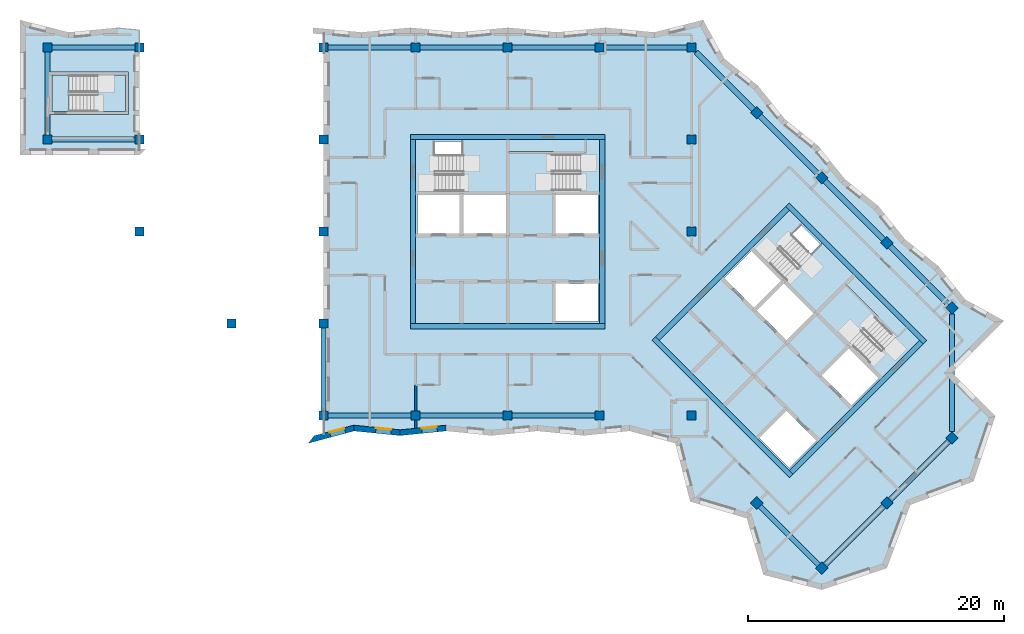
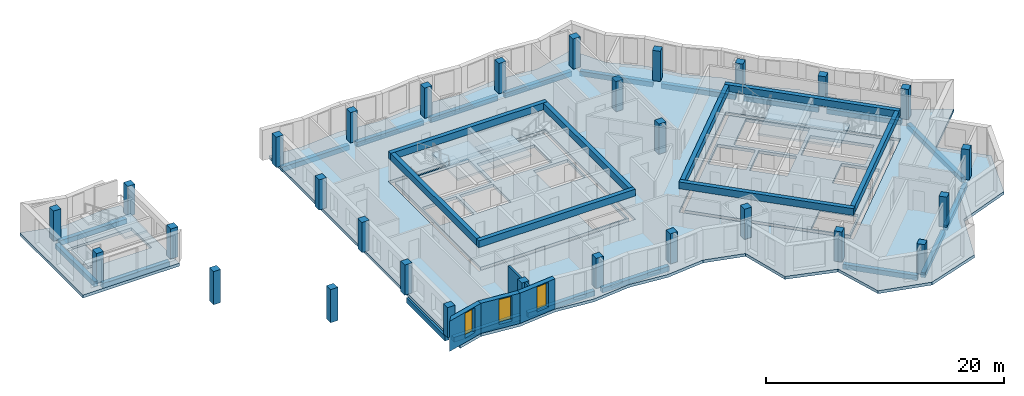
# One storey, part 1 of 12: 29 columns, 27 beams, 10 slabs, 5 walls, 3 windows, 18 openings, 5 elements without a shape of their own.
"""IFC4 building model written with IfcOpenShell, lengths in metres."""

from ifc_helpers import new_model, si_unit, direction, frame, frame_2d, origin, origin_2d, place, context, subcontext, project, spatial, polyline, rectangle, outline, extrude, material, layer, layer_set, material_profile, profile_set, type_object, element, fill, aggregate, save


model = new_model("IFC4")

# Units and contexts
model_context = context("Model", 3, precision=1e-05, world=origin(), true_north=direction((0.0, 1.0)))
body_context = subcontext(model_context, "Body", "Model", "MODEL_VIEW")
ifc_project = project(units=[si_unit("LENGTHUNIT", "METRE"), si_unit("AREAUNIT", "SQUARE_METRE"), si_unit("VOLUMEUNIT", "CUBIC_METRE"), si_unit("PLANEANGLEUNIT", "RADIAN"), si_unit("MASSUNIT", "GRAM", prefix="KILO")], contexts=[model_context])

# Site, building, storey
site_placement = place(None, origin())
site = spatial("IfcSite", under=ifc_project, at=site_placement, CompositionType="ELEMENT")
building_placement = place(site_placement, origin())
building = spatial("IfcBuilding", under=site, at=building_placement, Name="Windrow Commons", CompositionType="ELEMENT")
storey_placement = place(building_placement, frame((0.0, 0.0, 250.6)))
storey = spatial("IfcBuildingStorey", under=building, at=storey_placement, Name="L68", CompositionType="ELEMENT", Elevation=250.6)

# Columns
ifc_material_1 = material(Name="Concrete C40/50", Category="concrete")
ifc_material_profile_1 = material_profile(ifc_material_1, rectangle(XDim=0.7, YDim=0.7, at=origin_2d()))
ifc_profile_set_1 = profile_set([ifc_material_profile_1], Name="Concrete C40/50")
column_type = type_object("IfcColumnType", Name="RC COLUMN 700x700 C40/50", PredefinedType="COLUMN", material=ifc_profile_set_1)
for number, where, z_axis, x_axis, name in (
    (1, (28.8, 64.8, 0.0), (0.0, 0.0, 1.0), (1.0, 0.0, 0.0), "C-Z5-05I"),
    (2, (28.8, 72.0, 0.0), (0.0, 0.0, 1.0), (1.0, 0.0, 0.0), "C-Z5-05J"),
    (3, (36.0, 64.8, 0.0), (0.0, 0.0, 1.0), (1.0, 0.0, 0.0), "C-Z5-06I"),
    (4, (36.0, 72.0, 0.0), (0.0, 0.0, 1.0), (1.0, 0.0, 0.0), "C-Z5-06J"),
    (5, (50.4, 43.2, 0.0), (0.0, 0.0, 1.0), (1.0, 0.0, 0.0), "C-Z5-08F"),
    (6, (50.4, 50.4, 0.0), (0.0, 0.0, 1.0), (1.0, 0.0, 0.0), "C-Z5-08G"),
    (7, (50.4, 57.6, 0.0), (0.0, 0.0, 1.0), (1.0, 0.0, 0.0), "C-Z5-08H"),
    (8, (50.4, 64.8, 0.0), (0.0, 0.0, 1.0), (1.0, 0.0, 0.0), "C-Z5-08I"),
    (9, (50.4, 72.0, 0.0), (0.0, 0.0, 1.0), (1.0, 0.0, 0.0), "C-Z5-08J"),
    (10, (57.6, 43.2, 0.0), (0.0, 0.0, 1.0), (1.0, 0.0, 0.0), "C-Z5-09F"),
    (11, (57.6, 72.0, 0.0), (0.0, 0.0, 1.0), (1.0, 0.0, 0.0), "C-Z5-09J"),
    (12, (64.8, 43.2, 0.0), (0.0, 0.0, 1.0), (1.0, 0.0, 0.0), "C-Z5-10F"),
    (13, (64.8, 72.0, 0.0), (0.0, 0.0, 1.0), (1.0, 0.0, 0.0), "C-Z5-10J"),
    (14, (72.0, 43.2, 0.0), (0.0, 0.0, 1.0), (1.0, 0.0, 0.0), "C-Z5-11F"),
    (15, (72.0, 72.0, 0.0), (0.0, 0.0, 1.0), (1.0, 0.0, 0.0), "C-Z5-11J"),
    (16, (79.2, 43.2, 0.0), (0.0, 0.0, 1.0), (1.0, 0.0, 0.0), "C-Z5-12F"),
    (17, (79.2, 57.6, 0.0), (0.0, 0.0, 1.0), (1.0, 0.0, 0.0), "C-Z5-12H"),
    (18, (79.2, 64.8, 0.0), (0.0, 0.0, 1.0), (1.0, 0.0, 0.0), "C-Z5-12I"),
    (19, (79.2, 72.0, 0.0), (0.0, 0.0, 1.0), (1.0, 0.0, 0.0), "C-Z5-12J"),
    (20, (84.2912, 66.9088, 0.0), (0.0, 0.0, 1.0), (0.7071067812, -0.7071067812, 0.0), "C-Z5-P2Q"),
    (21, (89.3823, 61.8177, 0.0), (0.0, 0.0, 1.0), (0.7071067812, -0.7071067812, 0.0), "C-Z5-P3Q"),
    (22, (94.4735, 56.7265, 0.0), (0.0, 0.0, 1.0), (0.7071067812, -0.7071067812, 0.0), "C-Z5-P4Q"),
    (23, (99.5647, 51.6353, 0.0), (0.0, 0.0, 1.0), (0.7071067812, -0.7071067812, 0.0), "C-Z5-P5Q"),
    (24, (84.2912, 36.3618, 0.0), (0.0, 0.0, 1.0), (0.7071067812, -0.7071067812, 0.0), "C-Z5-P5T"),
    (25, (99.5647, 41.453, 0.0), (0.0, 0.0, 1.0), (0.7071067812, -0.7071067812, 0.0), "C-Z5-P6R"),
    (26, (94.4735, 36.3618, 0.0), (0.0, 0.0, 1.0), (0.7071067812, -0.7071067812, 0.0), "C-Z5-P6S"),
    (27, (89.3823, 31.2706, 0.0), (0.0, 0.0, 1.0), (0.7071067812, -0.7071067812, 0.0), "C-Z5-P6T"),
):
    element("IfcColumn", number, at=place(storey_placement, frame(where, z_axis=z_axis, x_axis=x_axis)), inside=storey, type_object=column_type, Name=name, PredefinedType="COLUMN", context=body_context, shape_type="SweptSolid", body=[
        extrude(rectangle(XDim=0.7, YDim=0.7, at=origin_2d()), origin(), (0.0, 0.0, 1.0), 3.1),
    ])
for number, where, z_axis, x_axis, name in (
    (28, (36.0, 57.6, -0.3), (0.0, 0.0, 1.0), (1.0, 0.0, 0.0), "C-Z5-06H"),
    (29, (43.2, 50.4, -0.3), (0.0, 0.0, 1.0), (1.0, 0.0, 0.0), "C-Z5-07G"),
):
    element("IfcColumn", number, at=place(storey_placement, frame(where, z_axis=z_axis, x_axis=x_axis)), inside=storey, type_object=column_type, Name=name, PredefinedType="COLUMN", context=body_context, shape_type="SweptSolid", body=[
        extrude(rectangle(XDim=0.7, YDim=0.7, at=origin_2d()), origin(), (0.0, 0.0, 1.0), 3.4),
    ])

# Beams
ifc_material_2 = material(Name="Concrete C40/50", Category="concrete")
ifc_material_profile_2 = material_profile(ifc_material_2, rectangle(XDim=0.4, YDim=0.7, at=origin_2d()))
ifc_profile_set_2 = profile_set([ifc_material_profile_2], Name="Concrete C40/50")
beam_type_1 = type_object("IfcBeamType", Name="RC COUPLING BEAM 400x700 C40/50", PredefinedType="LINTEL", material=ifc_profile_set_2)
for number, where, z_axis, x_axis, name in (
    (30, (57.2, 50.2, 2.75), (1.0, 0.0, 0.0), (0.0, 1.0, 0.0), "Core A coupling beam outer-S"),
    (31, (57.2, 65.0, 2.75), (1.0, 0.0, 0.0), (0.0, 1.0, 0.0), "Core A coupling beam outer-N"),
):
    element("IfcBeam", number, at=place(storey_placement, frame(where, z_axis=z_axis, x_axis=x_axis)), inside=storey, type_object=beam_type_1, Name=name, PredefinedType="LINTEL", context=body_context, shape_type="SweptSolid", body=[
        extrude(rectangle(XDim=0.4, YDim=0.7, at=origin_2d()), origin(), (0.0, 0.0, 1.0), 15.2),
    ])
for number, where, z_axis, x_axis, name in (
    (32, (57.4, 50.4, 2.75), (0.0, 1.0, 0.0), (-1.0, 0.0, 0.0), "Core A coupling beam outer-W"),
    (33, (72.2, 50.4, 2.75), (0.0, 1.0, 0.0), (-1.0, 0.0, 0.0), "Core A coupling beam outer-E"),
):
    element("IfcBeam", number, at=place(storey_placement, frame(where, z_axis=z_axis, x_axis=x_axis)), inside=storey, type_object=beam_type_1, Name=name, PredefinedType="LINTEL", context=body_context, shape_type="SweptSolid", body=[
        extrude(rectangle(XDim=0.4, YDim=0.7, at=origin_2d()), origin(), (0.0, 0.0, 1.0), 14.4),
    ])
for number, where, z_axis, x_axis, name in (
    (34, (76.2302, 49.2312, 2.75), (0.7071034917, -0.7071100706, 0.0), (0.7071100706, 0.7071034917, 0.0), "Core B coupling beam outer-S"),
    (35, (86.6953, 59.6963, 2.75), (0.7071100706, -0.7071034917, 0.0), (0.7071034917, 0.7071100706, 0.0), "Core B coupling beam outer-N"),
):
    element("IfcBeam", number, at=place(storey_placement, frame(where, z_axis=z_axis, x_axis=x_axis)), inside=storey, type_object=beam_type_1, Name=name, PredefinedType="LINTEL", context=body_context, shape_type="SweptSolid", body=[
        extrude(rectangle(XDim=0.4, YDim=0.7, at=origin_2d()), origin(), (0.0, 0.0, 1.0), 15.2),
    ])
for number, where, z_axis, x_axis, name in (
    (36, (76.513, 49.2312, 2.75), (0.7071067812, 0.7071067812, 0.0), (-0.7071067812, 0.7071067812, 0.0), "Core B coupling beam outer-W"),
    (37, (86.9782, 38.766, 2.75), (0.7071067812, 0.7071067812, 0.0), (-0.7071067812, 0.7071067812, 0.0), "Core B coupling beam outer-E"),
):
    element("IfcBeam", number, at=place(storey_placement, frame(where, z_axis=z_axis, x_axis=x_axis)), inside=storey, type_object=beam_type_1, Name=name, PredefinedType="LINTEL", context=body_context, shape_type="SweptSolid", body=[
        extrude(rectangle(XDim=0.4, YDim=0.7, at=origin_2d()), origin(), (0.0, 0.0, 1.0), 14.3999),
    ])
ifc_material_3 = material(Name="Concrete C40/50", Category="concrete")
ifc_material_profile_3 = material_profile(ifc_material_3, rectangle(XDim=0.4, YDim=0.5, at=origin_2d()))
ifc_profile_set_3 = profile_set([ifc_material_profile_3], Name="Concrete C40/50")
beam_type_2 = type_object("IfcBeamType", Name="RC EDGE BEAM 400x500 C40/50", PredefinedType="SPANDREL", material=ifc_profile_set_3)
for number, where, z_axis, x_axis, name in (
    (38, (57.25, 43.2, -0.55), (-1.0, 0.0, 0.0), (0.0, -1.0, 0.0), "Edge beam L68 001"),
    (39, (50.4, 43.55, -0.55), (0.0, 1.0, 0.0), (-1.0, 0.0, 0.0), "Edge beam L68 002"),
    (40, (35.65, 64.8, -0.55), (-1.0, 0.0, 0.0), (0.0, -1.0, 0.0), "Edge beam L68 003"),
    (41, (28.8, 65.15, -0.55), (0.0, 1.0, 0.0), (-1.0, 0.0, 0.0), "Edge beam L68 004"),
    (42, (29.15, 72.0, -0.55), (1.0, 0.0, 0.0), (0.0, 1.0, 0.0), "Edge beam L68 005"),
    (43, (50.75, 72.0, -0.55), (1.0, 0.0, 0.0), (0.0, 1.0, 0.0), "Edge beam L68 006"),
    (44, (57.95, 72.0, -0.55), (1.0, 0.0, 0.0), (0.0, 1.0, 0.0), "Edge beam L68 007"),
    (45, (65.15, 72.0, -0.55), (1.0, 0.0, 0.0), (0.0, 1.0, 0.0), "Edge beam L68 008"),
    (46, (72.35, 72.0, -0.55), (1.0, 0.0, 0.0), (0.0, 1.0, 0.0), "Edge beam L68 009"),
):
    element("IfcBeam", number, at=place(storey_placement, frame(where, z_axis=z_axis, x_axis=x_axis)), inside=storey, type_object=beam_type_2, Name=name, PredefinedType="SPANDREL", context=body_context, shape_type="SweptSolid", body=[
        extrude(rectangle(XDim=0.4, YDim=0.5, at=origin_2d()), origin(), (0.0, 0.0, 1.0), 6.5),
    ])
beam_1_placement = place(storey_placement, frame((79.55, 71.65, -0.55), z_axis=(0.7071067812, -0.7071067812, 0.0), x_axis=(0.7071067812, 0.7071067812, 0.0)))
element("IfcBeam", 47, at=beam_1_placement, inside=storey, type_object=beam_type_2, Name="Edge beam L68 010", PredefinedType="SPANDREL", context=body_context, shape_type="SweptSolid", body=[
    extrude(rectangle(XDim=0.4, YDim=0.5, at=origin_2d()), origin(), (0.0, 0.0, 1.0), 6.3551),
])
beam_2_placement = place(storey_placement, frame((84.5387, 66.6613, -0.55), z_axis=(0.7071067812, -0.7071067812, 0.0), x_axis=(0.7071067812, 0.7071067812, 0.0)))
element("IfcBeam", 48, at=beam_2_placement, inside=storey, type_object=beam_type_2, Name="Edge beam L68 011", PredefinedType="SPANDREL", context=body_context, shape_type="SweptSolid", body=[
    extrude(rectangle(XDim=0.4, YDim=0.5, at=origin_2d()), origin(), (0.0, 0.0, 1.0), 6.4999),
])
for number, where, z_axis, x_axis, name in (
    (49, (89.6298, 61.5702, -0.55), (0.7071067812, -0.7071067812, 0.0), (0.7071067812, 0.7071067812, 0.0), "Edge beam L68 012"),
    (50, (94.721, 56.479, -0.55), (0.7071067812, -0.7071067812, 0.0), (0.7071067812, 0.7071067812, 0.0), "Edge beam L68 013"),
):
    element("IfcBeam", number, at=place(storey_placement, frame(where, z_axis=z_axis, x_axis=x_axis)), inside=storey, type_object=beam_type_2, Name=name, PredefinedType="SPANDREL", context=body_context, shape_type="SweptSolid", body=[
        extrude(rectangle(XDim=0.4, YDim=0.5, at=origin_2d()), origin(), (0.0, 0.0, 1.0), 6.5),
    ])
beam_3_placement = place(storey_placement, frame((99.5647, 51.1403, -0.55), z_axis=(0.0, -1.0, 0.0), x_axis=(1.0, 0.0, 0.0)))
element("IfcBeam", 51, at=beam_3_placement, inside=storey, type_object=beam_type_2, Name="Edge beam L68 014", PredefinedType="SPANDREL", context=body_context, shape_type="SweptSolid", body=[
    extrude(rectangle(XDim=0.4, YDim=0.5, at=origin_2d()), origin(), (0.0, 0.0, 1.0), 9.1923),
])
for number, where, z_axis, x_axis, name in (
    (52, (99.3172, 41.2055, -0.55), (-0.7071067812, -0.7071067812, 0.0), (0.7071067812, -0.7071067812, 0.0), "Edge beam L68 015"),
    (53, (94.226, 36.1143, -0.55), (-0.7071067812, -0.7071067812, 0.0), (0.7071067812, -0.7071067812, 0.0), "Edge beam L68 016"),
):
    element("IfcBeam", number, at=place(storey_placement, frame(where, z_axis=z_axis, x_axis=x_axis)), inside=storey, type_object=beam_type_2, Name=name, PredefinedType="SPANDREL", context=body_context, shape_type="SweptSolid", body=[
        extrude(rectangle(XDim=0.4, YDim=0.5, at=origin_2d()), origin(), (0.0, 0.0, 1.0), 6.5),
    ])
beam_4_placement = place(storey_placement, frame((89.1348, 31.5181, -0.55), z_axis=(-0.7070990888, 0.7071144735, 0.0), x_axis=(-0.7071144735, -0.7070990888, 0.0)))
element("IfcBeam", 54, at=beam_4_placement, inside=storey, type_object=beam_type_2, Name="Edge beam L68 017", PredefinedType="SPANDREL", context=body_context, shape_type="SweptSolid", body=[
    extrude(rectangle(XDim=0.4, YDim=0.5, at=origin_2d()), origin(), (0.0, 0.0, 1.0), 6.4999),
])
for number, where, z_axis, x_axis, name in (
    (55, (71.65, 43.2, -0.55), (-1.0, 0.0, 0.0), (0.0, -1.0, 0.0), "Edge beam L68 018"),
    (56, (64.45, 43.2, -0.55), (-1.0, 0.0, 0.0), (0.0, -1.0, 0.0), "Edge beam L68 019"),
):
    element("IfcBeam", number, at=place(storey_placement, frame(where, z_axis=z_axis, x_axis=x_axis)), inside=storey, type_object=beam_type_2, Name=name, PredefinedType="SPANDREL", context=body_context, shape_type="SweptSolid", body=[
        extrude(rectangle(XDim=0.4, YDim=0.5, at=origin_2d()), origin(), (0.0, 0.0, 1.0), 6.5),
    ])

# Slab, openings
ifc_material_4 = material(Name="Concrete C40/50", Category="concrete")
ifc_layer_1 = layer(ifc_material_4, 0.3)
ifc_layer_set_1 = layer_set([ifc_layer_1], Name="CORE FLOOR SLAB 300 C40/50")
slab_type_1 = type_object("IfcSlabType", Name="CORE FLOOR SLAB 300 C40/50", PredefinedType="FLOOR", material=ifc_layer_set_1)
placement_1 = place(storey_placement, frame((0.0, 0.0, -0.3)))
slab_1 = element("IfcSlab", 57, at=placement_1, inside=storey, type_object=slab_type_1, Name="S-L68-core-A", PredefinedType="FLOOR", context=body_context, shape_type="SweptSolid", body=[
    extrude(outline(polyline([(57.6, 50.4), (72.0, 50.4), (72.0, 64.8), (57.6, 64.8), (57.6, 50.4)]), holes=[polyline([(68.55, 50.55), (71.85, 50.55), (71.85, 53.55), (68.55, 53.55), (68.55, 50.55)]), polyline([(57.75, 57.45), (61.05, 57.45), (61.05, 60.45), (57.75, 60.45), (57.75, 57.45)]), polyline([(61.35, 57.45), (64.65, 57.45), (64.65, 60.45), (61.35, 60.45), (61.35, 57.45)]), polyline([(68.55, 57.45), (71.85, 57.45), (71.85, 60.45), (68.55, 60.45), (68.55, 57.45)]), polyline([(59.1, 60.75), (64.65, 60.75), (64.65, 64.65), (59.1, 64.65), (59.1, 60.75)]), polyline([(64.95, 60.75), (70.5, 60.75), (70.5, 63.705), (64.95, 63.705), (64.95, 60.75)])]), origin(), (0.0, 0.0, 1.0), 0.3),
])
opening_1_placement = place(placement_1, origin())
element("IfcOpeningElement", 58, at=opening_1_placement, cuts=slab_1, Name="Slab opening S-L68-core-A 1", PredefinedType="OPENING", context=body_context, shape_type="SweptSolid", body=[
    extrude(outline(polyline([(68.555, 50.555), (68.555, 53.545), (71.845, 53.545), (71.845, 50.555), (68.555, 50.555)])), origin(), (0.0, 0.0, 1.0), 0.3),
])
opening_2_placement = place(placement_1, origin())
element("IfcOpeningElement", 59, at=opening_2_placement, cuts=slab_1, Name="Slab opening S-L68-core-A 2", PredefinedType="OPENING", context=body_context, shape_type="SweptSolid", body=[
    extrude(outline(polyline([(57.755, 57.455), (57.755, 60.445), (61.045, 60.445), (61.045, 57.455), (57.755, 57.455)])), origin(), (0.0, 0.0, 1.0), 0.3),
])
opening_3_placement = place(placement_1, origin())
element("IfcOpeningElement", 60, at=opening_3_placement, cuts=slab_1, Name="Slab opening S-L68-core-A 3", PredefinedType="OPENING", context=body_context, shape_type="SweptSolid", body=[
    extrude(outline(polyline([(61.355, 57.455), (61.355, 60.445), (64.645, 60.445), (64.645, 57.455), (61.355, 57.455)])), origin(), (0.0, 0.0, 1.0), 0.3),
])
opening_4_placement = place(placement_1, origin())
element("IfcOpeningElement", 61, at=opening_4_placement, cuts=slab_1, Name="Slab opening S-L68-core-A 4", PredefinedType="OPENING", context=body_context, shape_type="SweptSolid", body=[
    extrude(outline(polyline([(68.555, 57.455), (68.555, 60.445), (71.845, 60.445), (71.845, 57.455), (68.555, 57.455)])), origin(), (0.0, 0.0, 1.0), 0.3),
])
opening_5_placement = place(placement_1, origin())
element("IfcOpeningElement", 62, at=opening_5_placement, cuts=slab_1, Name="Slab opening S-L68-core-A 5", PredefinedType="OPENING", context=body_context, shape_type="SweptSolid", body=[
    extrude(outline(polyline([(59.105, 60.755), (59.105, 64.645), (64.645, 64.645), (64.645, 60.755), (59.105, 60.755)])), origin(), (0.0, 0.0, 1.0), 0.3),
])
opening_6_placement = place(placement_1, origin())
element("IfcOpeningElement", 63, at=opening_6_placement, cuts=slab_1, Name="Slab opening S-L68-core-A 6", PredefinedType="OPENING", context=body_context, shape_type="SweptSolid", body=[
    extrude(outline(polyline([(64.955, 60.755), (64.955, 63.7), (70.495, 63.7), (70.495, 60.755), (64.955, 60.755)])), origin(), (0.0, 0.0, 1.0), 0.3),
])

slab_2 = element("IfcSlab", 64, at=placement_1, inside=storey, type_object=slab_type_1, Name="S-L68-core-B", PredefinedType="FLOOR", context=body_context, shape_type="SweptSolid", body=[
    extrude(outline(polyline([(76.6544, 49.0897), (86.8368, 38.9074), (97.0191, 49.0897), (86.8368, 59.2721), (76.6544, 49.0897)]), holes=[polyline([(84.5033, 41.453), (86.8368, 39.1195), (88.9581, 41.2409), (86.6246, 43.5743), (84.5033, 41.453)]), polyline([(81.7456, 53.9688), (84.079, 51.6353), (86.2004, 53.7566), (83.8669, 56.0901), (81.7456, 53.9688)]), polyline([(84.2912, 51.4232), (86.6246, 49.0897), (88.7459, 51.2111), (86.4125, 53.5445), (84.2912, 51.4232)]), polyline([(89.3823, 46.332), (91.7158, 43.9986), (93.8371, 46.1199), (91.5037, 48.4533), (89.3823, 46.332)]), polyline([(85.0336, 55.3476), (88.9581, 51.4232), (91.7158, 54.1809), (87.7913, 58.1054), (85.0336, 55.3476)]), polyline([(89.1702, 51.2111), (93.0946, 47.2866), (95.1841, 49.3761), (91.2597, 53.3006), (89.1702, 51.2111)])]), origin(), (0.0, 0.0, 1.0), 0.3),
])
opening_7_placement = place(placement_1, origin())
element("IfcOpeningElement", 65, at=opening_7_placement, cuts=slab_2, Name="Slab opening S-L68-core-B 1", PredefinedType="OPENING", context=body_context, shape_type="SweptSolid", body=[
    extrude(outline(polyline([(84.5104, 41.453), (86.6246, 43.5672), (88.951, 41.2409), (86.8368, 39.1266), (84.5104, 41.453)])), origin(), (0.0, 0.0, 1.0), 0.3),
])
opening_8_placement = place(placement_1, origin())
element("IfcOpeningElement", 66, at=opening_8_placement, cuts=slab_2, Name="Slab opening S-L68-core-B 2", PredefinedType="OPENING", context=body_context, shape_type="SweptSolid", body=[
    extrude(outline(polyline([(81.7527, 53.9688), (83.8669, 56.083), (86.1933, 53.7566), (84.079, 51.6424), (81.7527, 53.9688)])), origin(), (0.0, 0.0, 1.0), 0.3),
])
opening_9_placement = place(placement_1, origin())
element("IfcOpeningElement", 67, at=opening_9_placement, cuts=slab_2, Name="Slab opening S-L68-core-B 3", PredefinedType="OPENING", context=body_context, shape_type="SweptSolid", body=[
    extrude(outline(polyline([(84.2983, 51.4232), (86.4125, 53.5374), (88.7388, 51.2111), (86.6246, 49.0968), (84.2983, 51.4232)])), origin(), (0.0, 0.0, 1.0), 0.3),
])
opening_10_placement = place(placement_1, origin())
element("IfcOpeningElement", 68, at=opening_10_placement, cuts=slab_2, Name="Slab opening S-L68-core-B 4", PredefinedType="OPENING", context=body_context, shape_type="SweptSolid", body=[
    extrude(outline(polyline([(89.3894, 46.332), (91.5037, 48.4462), (93.83, 46.1199), (91.7158, 44.0057), (89.3894, 46.332)])), origin(), (0.0, 0.0, 1.0), 0.3),
])
opening_11_placement = place(placement_1, origin())
element("IfcOpeningElement", 69, at=opening_11_placement, cuts=slab_2, Name="Slab opening S-L68-core-B 5", PredefinedType="OPENING", context=body_context, shape_type="SweptSolid", body=[
    extrude(outline(polyline([(85.0407, 55.3476), (87.7913, 58.0983), (91.7087, 54.1809), (88.9581, 51.4303), (85.0407, 55.3476)])), origin(), (0.0, 0.0, 1.0), 0.3),
])
opening_12_placement = place(placement_1, origin())
element("IfcOpeningElement", 70, at=opening_12_placement, cuts=slab_2, Name="Slab opening S-L68-core-B 6", PredefinedType="OPENING", context=body_context, shape_type="SweptSolid", body=[
    extrude(outline(polyline([(89.1773, 51.2111), (91.2597, 53.2935), (95.177, 49.3761), (93.0946, 47.2937), (89.1773, 51.2111)])), origin(), (0.0, 0.0, 1.0), 0.3),
])

# Slab
element("IfcSlab", 71, at=placement_1, inside=storey, type_object=slab_type_1, Name="S-L68-stub-stair", PredefinedType="FLOOR", context=body_context, shape_type="SweptSolid", body=[
    extrude(outline(polyline([(29.125, 67.0), (30.475, 67.0), (30.475, 69.85), (29.125, 69.85), (29.125, 67.0)])), origin(), (0.0, 0.0, 1.0), 0.3),
])

# Stair, slab
ifc_material_5 = material(Name="Concrete C40/50", Category="concrete")
stair_type = type_object("IfcStairType", Name="Core stair", PredefinedType="HALF_TURN_STAIR", material=ifc_material_5)
placement_2 = place(storey_placement, origin())
stair_1 = element("IfcStair", 72, at=placement_2, inside=storey, type_object=stair_type, Name="L68 Exit stair A1 core A", PredefinedType="HALF_TURN_STAIR")
ifc_material_6 = material(Name="Concrete C40/50", Category="concrete")
ifc_layer_2 = layer(ifc_material_6, 0.2)
ifc_layer_set_2 = layer_set([ifc_layer_2], Name="Core stair landing")
slab_type_2 = type_object("IfcSlabType", Name="Core stair landing", PredefinedType="LANDING", material=ifc_layer_set_2)
placement_3 = place(storey_placement, frame((0.0, 0.0, 1.5)))
slab_4 = element("IfcSlab", 73, at=placement_3, type_object=slab_type_2, Name="ST-A1 landing 1", PredefinedType="LANDING", context=body_context, shape_type="SweptSolid", body=[
    extrude(outline(polyline([(61.22, 60.5), (64.8, 60.5), (64.8, 64.9), (61.22, 64.9), (61.22, 60.5)])), origin(), (0.0, 0.0, 1.0), 0.2),
])
aggregate(stair_1, [slab_4])

stair_2 = element("IfcStair", 74, at=placement_2, inside=storey, type_object=stair_type, Name="L68 Exit stair A2 core A", PredefinedType="HALF_TURN_STAIR")
slab_5 = element("IfcSlab", 75, at=placement_3, type_object=slab_type_2, Name="ST-A2 landing 1", PredefinedType="LANDING", context=body_context, shape_type="SweptSolid", body=[
    extrude(outline(polyline([(64.8, 60.5), (68.38, 60.5), (68.38, 63.855), (64.8, 63.855), (64.8, 60.5)])), origin(), (0.0, 0.0, 1.0), 0.2),
])
aggregate(stair_2, [slab_5])

stair_3 = element("IfcStair", 76, at=placement_2, inside=storey, type_object=stair_type, Name="L68 Exit stair B1 core B", PredefinedType="HALF_TURN_STAIR")
slab_6 = element("IfcSlab", 77, at=placement_3, type_object=slab_type_2, Name="ST-B1 landing 1", PredefinedType="LANDING", context=body_context, shape_type="SweptSolid", body=[
    extrude(outline(polyline([(86.3559, 53.6718), (88.8874, 51.1403), (91.9986, 54.2516), (89.4672, 56.7831), (86.3559, 53.6718)])), origin(), (0.0, 0.0, 1.0), 0.2),
])
aggregate(stair_3, [slab_6])

stair_4 = element("IfcStair", 78, at=placement_2, inside=storey, type_object=stair_type, Name="L68 Exit stair B2 core B", PredefinedType="HALF_TURN_STAIR")
slab_7 = element("IfcSlab", 79, at=placement_3, type_object=slab_type_2, Name="ST-B2 landing 1", PredefinedType="LANDING", context=body_context, shape_type="SweptSolid", body=[
    extrude(outline(polyline([(88.8874, 51.1403), (91.4188, 48.6089), (93.7911, 50.9812), (91.2597, 53.5127), (88.8874, 51.1403)])), origin(), (0.0, 0.0, 1.0), 0.2),
])
aggregate(stair_4, [slab_7])

stair_5 = element("IfcStair", 80, at=placement_2, inside=storey, type_object=stair_type, Name="L68 Exit stair W", PredefinedType="HALF_TURN_STAIR")
slab_8 = element("IfcSlab", 81, at=placement_3, type_object=slab_type_2, Name="ST-W landing 1", PredefinedType="LANDING", context=body_context, shape_type="SweptSolid", body=[
    extrude(outline(polyline([(32.715, 67.0), (34.875, 67.0), (34.875, 69.85), (32.715, 69.85), (32.715, 67.0)])), origin(), (0.0, 0.0, 1.0), 0.2),
])
aggregate(stair_5, [slab_8])

# Slab, opening
ifc_material_7 = material(Name="Concrete C40/50", Category="concrete")
ifc_layer_3 = layer(ifc_material_7, 0.3)
ifc_layer_set_3 = layer_set([ifc_layer_3], Name="FLOOR SLAB 300 C40/50")
slab_type_3 = type_object("IfcSlabType", Name="FLOOR SLAB 300 C40/50", PredefinedType="FLOOR", material=ifc_layer_set_3)
slab_9 = element("IfcSlab", 82, at=placement_1, inside=storey, type_object=slab_type_3, Name="S-L68-floor-1", PredefinedType="FLOOR", context=body_context, shape_type="SweptSolid", body=[
    extrude(outline(polyline([(26.639, 63.6), (36.0, 63.6), (36.0, 73.398), (34.2756, 73.561), (30.4573, 73.2), (26.639, 74.161), (26.639, 63.6)]), holes=[polyline([(28.875, 66.75), (28.875, 70.1), (35.125, 70.1), (35.125, 66.75), (28.875, 66.75)])]), origin(), (0.0, 0.0, 1.0), 0.3),
])
opening_13_placement = place(placement_1, origin())
element("IfcOpeningElement", 83, at=opening_13_placement, cuts=slab_9, Name="Slab opening S-L68-floor-1 1", PredefinedType="OPENING", context=body_context, shape_type="SweptSolid", body=[
    extrude(outline(polyline([(28.88, 66.755), (28.88, 70.095), (35.12, 70.095), (35.12, 66.755), (28.88, 66.755)])), origin(), (0.0, 0.0, 1.0), 0.3),
])

# Slab, openings
slab_10 = element("IfcSlab", 84, at=placement_1, inside=storey, type_object=slab_type_3, Name="S-L68-floor-2", PredefinedType="FLOOR", context=body_context, shape_type="SweptSolid", body=[
    extrude(outline(polyline([(79.0862, 36.4756), (83.5082, 35.1649), (84.8189, 30.7429), (89.3823, 29.5736), (94.4735, 31.2706), (96.312, 36.2204), (101.2617, 38.0588), (102.9588, 43.15), (99.5647, 46.5442), (103.6383, 50.6178), (100.6045, 52.2926), (98.5054, 54.9022), (95.8958, 57.0013), (93.7968, 59.6108), (91.1872, 61.7099), (89.0882, 64.3195), (86.4786, 66.4185), (84.3795, 69.0281), (81.7699, 71.1272), (80.0952, 74.161), (76.2769, 73.2), (72.4586, 73.561), (68.6403, 73.2), (64.822, 73.561), (61.0037, 73.2), (57.1854, 73.561), (53.3671, 73.2), (50.4, 73.4805), (50.4, 41.3603), (49.2, 41.039), (52.7896, 42.0), (56.3792, 41.639), (59.9688, 42.0), (63.5585, 41.639), (67.1481, 42.0), (70.7377, 41.639), (74.3273, 42.0), (77.9169, 41.039), (79.0862, 36.4756)]), holes=[polyline([(86.8368, 38.3417), (76.0887, 49.0897), (86.8368, 59.8378), (97.5848, 49.0897), (86.8368, 38.3417)]), polyline([(72.4, 50.0), (57.2, 50.0), (57.2, 65.2), (72.4, 65.2), (72.4, 50.0)])]), origin(), (0.0, 0.0, 1.0), 0.3),
])
opening_14_placement = place(placement_1, origin())
element("IfcOpeningElement", 85, at=opening_14_placement, cuts=slab_10, Name="Slab opening S-L68-floor-2 1", PredefinedType="OPENING", context=body_context, shape_type="SweptSolid", body=[
    extrude(outline(polyline([(86.8368, 38.3488), (76.0958, 49.0897), (86.8368, 59.8307), (97.5777, 49.0897), (86.8368, 38.3488)])), origin(), (0.0, 0.0, 1.0), 0.3),
])
opening_15_placement = place(placement_1, origin())
element("IfcOpeningElement", 86, at=opening_15_placement, cuts=slab_10, Name="Slab opening S-L68-floor-2 2", PredefinedType="OPENING", context=body_context, shape_type="SweptSolid", body=[
    extrude(outline(polyline([(72.395, 50.005), (57.205, 50.005), (57.205, 65.195), (72.395, 65.195), (72.395, 50.005)])), origin(), (0.0, 0.0, 1.0), 0.3),
])

# Wall, opening, window
ifc_material_8 = material(Name="Brick masonry, red clay brick", Category="masonry")
ifc_layer_4 = layer(ifc_material_8, 0.45)
ifc_layer_set_4 = layer_set([ifc_layer_4], Name="Brick facade wall 450")
wall_type_1 = type_object("IfcWallType", Name="Brick facade wall 450", PredefinedType="SOLIDWALL", material=ifc_layer_set_4)
wall_1_placement = place(storey_placement, frame((49.425, 41.3322, 0.0), z_axis=(0.0, 0.0, 1.0), x_axis=(0.965984374, 0.258600443, 0.0)))
wall_1 = element("IfcWall", 87, at=wall_1_placement, inside=storey, type_object=wall_type_1, Name="Brick facade wall L68 38", PredefinedType="SOLIDWALL", context=body_context, shape_type="SweptSolid", body=[
    extrude(outline(polyline([(-0.2932, -0.225), (3.4229, -0.225), (3.5052, 0.225), (0.2932, 0.225), (-0.2932, -0.225)])), origin(), (0.0, 0.0, 1.0), 3.1),
])
opening_16_placement = place(wall_1_placement, frame((1.5367, 0.0, 0.45)))
opening_16 = element("IfcOpeningElement", 88, at=opening_16_placement, cuts=wall_1, Name="Opening W7F", PredefinedType="OPENING", context=body_context, shape_type="SweptSolid", body=[
    extrude(rectangle(XDim=1.2, YDim=2.55, at=frame_2d((0.6, 1.275))), frame((0.0, 0.235, 0.0), z_axis=(0.0, -1.0, 0.0), x_axis=(1.0, 0.0, 0.0)), (0.0, 0.0, 1.0), 0.47),
])
ifc_material_9 = material(Name="Clear float glass in anodised aluminium frame", Category="aluminium")
window_type = type_object("IfcWindowType", Name="Window W7 notch 1200x2550", PartitioningType="SINGLE_PANEL", PredefinedType="WINDOW", material=ifc_material_9)
window_1_placement = place(opening_16_placement, origin())
window_1 = element("IfcWindow", 89, at=window_1_placement, inside=storey, type_object=window_type, Name="Window L68 38.1", OverallHeight=2.55, OverallWidth=1.2, PartitioningType="SINGLE_PANEL", PredefinedType="WINDOW", context=body_context, shape_type="SweptSolid", body=[
    extrude(rectangle(XDim=1.2, YDim=2.55, at=frame_2d((0.6, 1.275))), frame((0.0, 0.205, 0.0), z_axis=(0.0, -1.0, 0.0), x_axis=(1.0, 0.0, 0.0)), (0.0, 0.0, 1.0), 0.06),
])
fill(opening_16, window_1)

wall_2_placement = place(storey_placement, frame((52.7712, 42.228, 0.0), z_axis=(0.0, 0.0, 1.0), x_axis=(0.9949796866, -0.1000770865, 0.0)))
wall_2 = element("IfcWall", 90, at=wall_2_placement, inside=storey, type_object=wall_type_1, Name="Brick facade wall L68 39", PredefinedType="SOLIDWALL", context=body_context, shape_type="SweptSolid", body=[
    extrude(outline(polyline([(0.0412, -0.225), (3.6489, -0.225), (3.6036, 0.225), (-0.0412, 0.225), (0.0412, -0.225)])), origin(), (0.0, 0.0, 1.0), 3.1),
])
opening_17_placement = place(wall_2_placement, frame((1.7193, 0.0, 0.45)))
opening_17 = element("IfcOpeningElement", 91, at=opening_17_placement, cuts=wall_2, Name="Opening W7F", PredefinedType="OPENING", context=body_context, shape_type="SweptSolid", body=[
    extrude(rectangle(XDim=1.2, YDim=2.55, at=frame_2d((0.6, 1.275))), frame((0.0, 0.235, 0.0), z_axis=(0.0, -1.0, 0.0), x_axis=(1.0, 0.0, 0.0)), (0.0, 0.0, 1.0), 0.47),
])
window_2_placement = place(opening_17_placement, origin())
window_2 = element("IfcWindow", 92, at=window_2_placement, inside=storey, type_object=window_type, Name="Window L68 39.1", OverallHeight=2.55, OverallWidth=1.2, PartitioningType="SINGLE_PANEL", PredefinedType="WINDOW", context=body_context, shape_type="SweptSolid", body=[
    extrude(rectangle(XDim=1.2, YDim=2.55, at=frame_2d((0.6, 1.275))), frame((0.0, 0.205, 0.0), z_axis=(0.0, -1.0, 0.0), x_axis=(1.0, 0.0, 0.0)), (0.0, 0.0, 1.0), 0.06),
])
fill(opening_17, window_2)

wall_3_placement = place(storey_placement, frame((56.3792, 41.8651, 0.0), z_axis=(0.0, 0.0, 1.0), x_axis=(0.994981047, 0.1000635608, 0.0)))
wall_3 = element("IfcWall", 93, at=wall_3_placement, inside=storey, type_object=wall_type_1, Name="Brick facade wall L68 40", PredefinedType="SOLIDWALL", context=body_context, shape_type="SweptSolid", body=[
    extrude(outline(polyline([(-0.0226, -0.225), (3.5851, -0.225), (3.6303, 0.225), (0.0226, 0.225), (-0.0226, -0.225)])), origin(), (0.0, 0.0, 1.0), 3.1),
])
opening_18_placement = place(wall_3_placement, frame((1.7173, 0.0, 0.45)))
opening_18 = element("IfcOpeningElement", 94, at=opening_18_placement, cuts=wall_3, Name="Opening W7F", PredefinedType="OPENING", context=body_context, shape_type="SweptSolid", body=[
    extrude(rectangle(XDim=1.2, YDim=2.55, at=frame_2d((0.6, 1.275))), frame((0.0, 0.235, 0.0), z_axis=(0.0, -1.0, 0.0), x_axis=(1.0, 0.0, 0.0)), (0.0, 0.0, 1.0), 0.47),
])
window_3_placement = place(opening_18_placement, origin())
window_3 = element("IfcWindow", 95, at=window_3_placement, inside=storey, type_object=window_type, Name="Window L68 40.1", OverallHeight=2.55, OverallWidth=1.2, PartitioningType="SINGLE_PANEL", PredefinedType="WINDOW", context=body_context, shape_type="SweptSolid", body=[
    extrude(rectangle(XDim=1.2, YDim=2.55, at=frame_2d((0.6, 1.275))), frame((0.0, 0.205, 0.0), z_axis=(0.0, -1.0, 0.0), x_axis=(1.0, 0.0, 0.0)), (0.0, 0.0, 1.0), 0.06),
])
fill(opening_18, window_3)

# Walls
ifc_material_10 = material(Name="Blockwork partition", Category="masonry")
ifc_layer_5 = layer(ifc_material_10, 0.2)
ifc_layer_set_5 = layer_set([ifc_layer_5], Name="IW-PARTY-200")
wall_type_2 = type_object("IfcWallType", Name="IW-PARTY-200", PredefinedType="PARTITIONING", material=ifc_layer_set_5)
wall_4_placement = place(storey_placement, frame((57.6, 43.55, 0.0), z_axis=(0.0, 0.0, 1.0), x_axis=(0.0, 1.0, 0.0)))
element("IfcWall", 96, at=wall_4_placement, inside=storey, type_object=wall_type_2, Name="W-L68-W066", PredefinedType="PARTITIONING", context=body_context, shape_type="SweptSolid", body=[
    extrude(rectangle(XDim=2.05, YDim=0.2, at=frame_2d((1.025, 0.0))), origin(), (0.0, 0.0, 1.0), 3.1),
])
wall_5_placement = place(storey_placement, frame((57.6, 42.214, 0.0), z_axis=(0.0, 0.0, 1.0), x_axis=(0.0, 1.0, 0.0)))
element("IfcWall", 97, at=wall_5_placement, inside=storey, type_object=wall_type_2, Name="W-L68-W092", PredefinedType="PARTITIONING", context=body_context, shape_type="SweptSolid", body=[
    extrude(rectangle(XDim=0.636, YDim=0.2, at=frame_2d((0.318, 0.0))), origin(), (0.0, 0.0, 1.0), 3.1),
])

save(model, "model.ifc")
